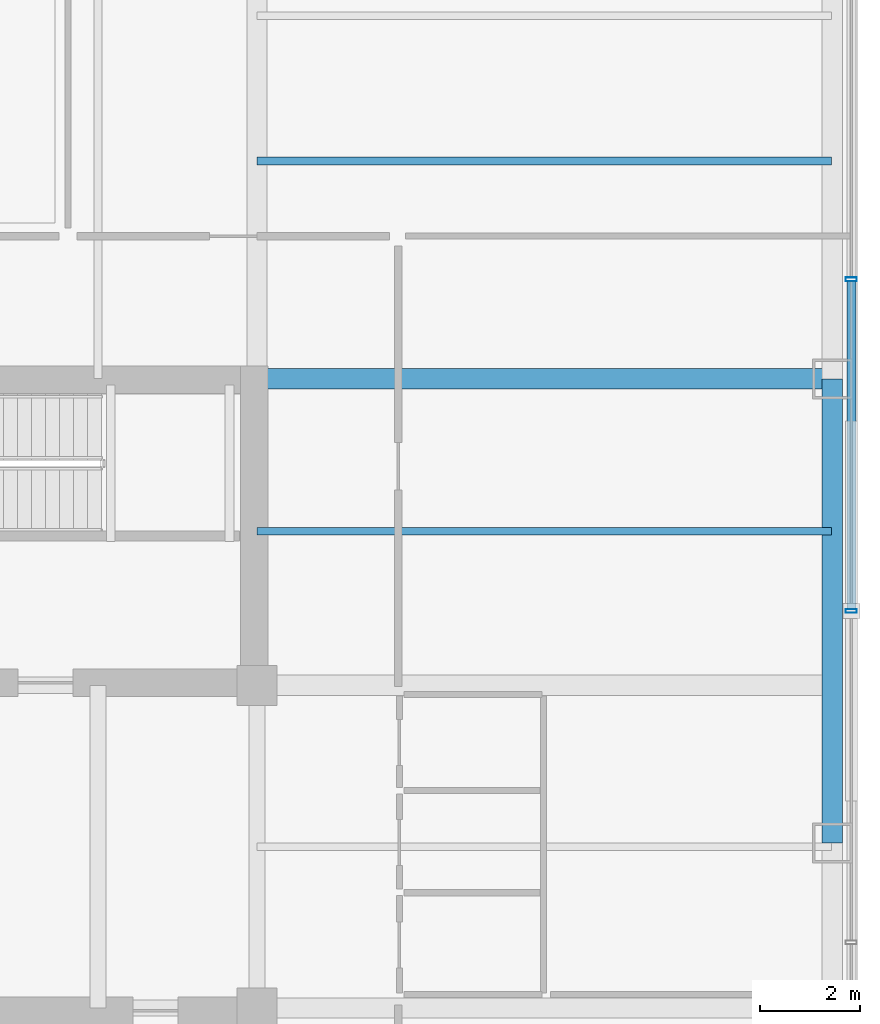
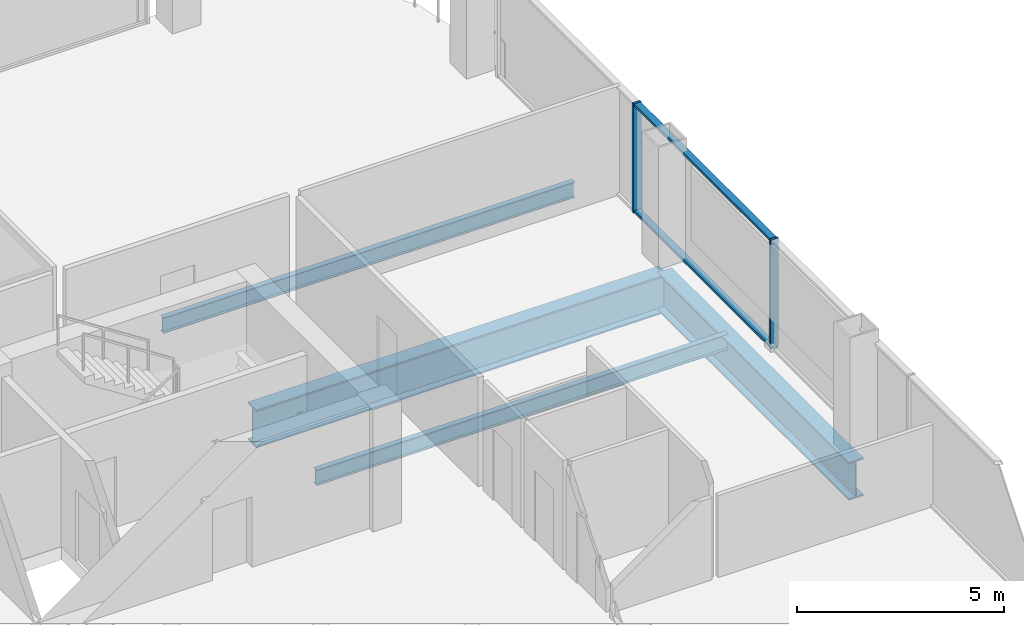
# One storey, part 8 of 20: 4 beams, 4 members, 1 element without a shape of its own.
"""IFC4 building model written with IfcOpenShell, lengths in metres."""

from ifc_helpers import new_model, si_unit, direction, frame, origin, origin_2d, place, context, subcontext, project, spatial, hollow_rectangle, i_section, extrude, material, layer, layer_set, material_profile, profile_set, type_object, element, aggregate, save


model = new_model("IFC4")

# Units and contexts
model_context = context("Model", 3, precision=1e-05, world=origin(), true_north=direction((0.0, 1.0)))
body_context = subcontext(model_context, "Body", "Model", "MODEL_VIEW")
ifc_project = project(units=[si_unit("LENGTHUNIT", "METRE"), si_unit("AREAUNIT", "SQUARE_METRE"), si_unit("VOLUMEUNIT", "CUBIC_METRE"), si_unit("PLANEANGLEUNIT", "RADIAN"), si_unit("MASSUNIT", "GRAM", prefix="KILO")], contexts=[model_context])

# Site, building, storey
site_placement = place(None, origin())
site = spatial("IfcSite", under=ifc_project, at=site_placement, CompositionType="ELEMENT")
building_placement = place(site_placement, origin())
building = spatial("IfcBuilding", under=site, at=building_placement, Name="Qhalaya Broadcast Tower", CompositionType="ELEMENT")
storey_placement = place(building_placement, frame((0.0, 0.0, 104.85009765625)))
storey = spatial("IfcBuildingStorey", under=building, at=storey_placement, Name="L30", CompositionType="ELEMENT", Elevation=104.85009765625)

# Beams
ifc_material_1 = material(Name="Structural Steel ASTM A992 Grade 50", Category="steel")
ifc_material_profile_1 = material_profile(ifc_material_1, i_section(OverallWidth=0.154052734375, OverallDepth=0.458984375, WebThickness=0.009033203125, FlangeThickness=0.015380859375, at=origin_2d()), Name="W18X46")
ifc_profile_set_1 = profile_set([ifc_material_profile_1], Name="Structural Steel ASTM A992 Grade 50")
beam_type_1 = type_object("IfcBeamType", Name="Composite Floor Joist J04", PredefinedType="JOIST", material=ifc_profile_set_1)
for number, where, z_axis, x_axis, name in (
    (1, (9.375, 6.89990234375, -0.609619140625), (1.0, 0.0, 0.0), (0.0, 1.0, 0.0), "L30 J04 L30-JWE5E-1"),
    (2, (9.375, 14.300048828125, -0.609619140625), (1.0, 0.0, 0.0), (0.0, 1.0, 0.0), "L30 J04 L30-JWE6E-1"),
):
    element("IfcBeam", number, at=place(storey_placement, frame(where, z_axis=z_axis, x_axis=x_axis)), inside=storey, type_object=beam_type_1, Name=name, PredefinedType="JOIST", context=body_context, shape_type="SweptSolid", body=[
        extrude(i_section(OverallWidth=0.154052734375, OverallDepth=0.458984375, WebThickness=0.009033203125, FlangeThickness=0.015380859375, at=origin_2d()), origin(), (0.0, 0.0, 1.0), 11.47509765625),
    ])
ifc_material_profile_2 = material_profile(ifc_material_1, i_section(OverallWidth=0.404052734375, OverallDepth=1.117919921875, WebThickness=0.026123046875, FlangeThickness=0.044921875, at=origin_2d()), Name="W44X335")
ifc_profile_set_2 = profile_set([ifc_material_profile_2], Name="Structural Steel ASTM A992 Grade 50")
beam_type_2 = type_object("IfcBeamType", Name="Podium Long-Span Primary Girder PG1", PredefinedType="USERDEFINED", material=ifc_profile_set_2)
beam_1_placement = place(storey_placement, frame((20.8701171875, 0.6767578125, -0.939208984375), z_axis=(0.0, 1.0, 0.0), x_axis=(-1.0, 0.0, 0.0)))
element("IfcBeam", 3, at=beam_1_placement, inside=storey, type_object=beam_type_2, Name="L30 PG1 L30-SPR-06", ObjectType="GIRDER", PredefinedType="USERDEFINED", context=body_context, shape_type="SweptSolid", body=[
    extrude(i_section(OverallWidth=0.404052734375, OverallDepth=1.117919921875, WebThickness=0.026123046875, FlangeThickness=0.044921875, at=origin_2d()), origin(), (0.0, 0.0, 1.0), 9.2666015625),
])
beam_2_placement = place(storey_placement, frame((9.375, 9.949951171875, -0.939208984375), z_axis=(1.0, 0.0, 0.0), x_axis=(0.0, 1.0, 0.0)))
element("IfcBeam", 4, at=beam_2_placement, inside=storey, type_object=beam_type_2, Name="L30 PG1 L30-PGYE4-1", ObjectType="GIRDER", PredefinedType="USERDEFINED", context=body_context, shape_type="SweptSolid", body=[
    extrude(i_section(OverallWidth=0.404052734375, OverallDepth=1.117919921875, WebThickness=0.026123046875, FlangeThickness=0.044921875, at=origin_2d()), origin(), (0.0, 0.0, 1.0), 11.47509765625),
])

# Curtain wall, members
ifc_material_2 = material(Name="Solar-Control Low-E Triple Glazing", Category="glass")
ifc_layer = layer(ifc_material_2, 0.219970703125, Name="Solar-Control Low-E Triple Glazing")
ifc_layer_set = layer_set([ifc_layer], Name="Solar-Control Low-E Triple Glazing")
curtain_wall_type = type_object("IfcCurtainWallType", Name="Recessed Sky-Garden Neck Ribbon Curtain Wall CW-05", PredefinedType="NOTDEFINED", material=ifc_layer_set)
curtain_wall_placement = place(storey_placement, origin())
curtain_wall = element("IfcCurtainWall", 5, at=curtain_wall_placement, inside=storey, type_object=curtain_wall_type, Name="L30 Unitised Curtain Wall L30-CW-E", PredefinedType="NOTDEFINED")
ifc_material_3 = material(Name="Anodised Aluminium 6063-T6", Category="aluminium")
ifc_material_profile_3 = material_profile(ifc_material_3, hollow_rectangle(XDim=0.074951171875, YDim=0.219970703125, WallThickness=0.00390625, at=origin_2d()), Name="ALU-MUL 75x220x4")
ifc_profile_set_3 = profile_set([ifc_material_profile_3], Name="Anodised Aluminium 6063-T6")
member_type_1 = type_object("IfcMemberType", Name="Unitised Curtain-Wall Mullion M01", PredefinedType="MULLION", material=ifc_profile_set_3)
member_1_placement = place(storey_placement, frame((21.25, 5.31005859375, 0.0), z_axis=(0.0, 0.0, 1.0), x_axis=(0.0, 1.0, 0.0)))
member_1 = element("IfcMember", 6, at=member_1_placement, type_object=member_type_1, Name="CW-05 mullion 3", PredefinedType="MULLION", context=body_context, shape_type="SweptSolid", body=[
    extrude(hollow_rectangle(XDim=0.074951171875, YDim=0.219970703125, WallThickness=0.00390625, at=origin_2d()), origin(), (0.0, 0.0, 1.0), 3.219970703125),
])
member_2_placement = place(storey_placement, frame((21.25, 11.93505859375, 0.0), z_axis=(0.0, 0.0, 1.0), x_axis=(0.0, 1.0, 0.0)))
member_2 = element("IfcMember", 7, at=member_2_placement, type_object=member_type_1, Name="CW-05 mullion 4", PredefinedType="MULLION", context=body_context, shape_type="SweptSolid", body=[
    extrude(hollow_rectangle(XDim=0.074951171875, YDim=0.219970703125, WallThickness=0.00390625, at=origin_2d()), origin(), (0.0, 0.0, 1.0), 3.219970703125),
])
ifc_material_profile_4 = material_profile(ifc_material_3, hollow_rectangle(XDim=0.074951171875, YDim=0.179931640625, WallThickness=0.00390625, at=origin_2d()), Name="ALU-TRN 75x180x4")
ifc_profile_set_4 = profile_set([ifc_material_profile_4], Name="Anodised Aluminium 6063-T6")
member_type_2 = type_object("IfcMemberType", Name="Unitised Curtain-Wall Transom T01", PredefinedType="USERDEFINED", material=ifc_profile_set_4)
member_3_placement = place(storey_placement, frame((21.25, 5.347412109375, 0.037353515625), z_axis=(0.0, 1.0, 0.0), x_axis=(0.0, 0.0, 1.0)))
member_3 = element("IfcMember", 8, at=member_3_placement, type_object=member_type_2, Name="CW-05 transom 3.1", ObjectType="TRANSOM", PredefinedType="USERDEFINED", context=body_context, shape_type="SweptSolid", body=[
    extrude(hollow_rectangle(XDim=0.074951171875, YDim=0.179931640625, WallThickness=0.00390625, at=origin_2d()), origin(), (0.0, 0.0, 1.0), 6.550048828125),
])
member_4_placement = place(storey_placement, frame((21.25, 5.347412109375, 3.182373046875), z_axis=(0.0, 1.0, 0.0), x_axis=(0.0, 0.0, 1.0)))
member_4 = element("IfcMember", 9, at=member_4_placement, type_object=member_type_2, Name="CW-05 transom 3.2", ObjectType="TRANSOM", PredefinedType="USERDEFINED", context=body_context, shape_type="SweptSolid", body=[
    extrude(hollow_rectangle(XDim=0.074951171875, YDim=0.179931640625, WallThickness=0.00390625, at=origin_2d()), origin(), (0.0, 0.0, 1.0), 6.550048828125),
])
aggregate(curtain_wall, [member_1, member_2, member_3, member_4])

save(model, "model.ifc")
